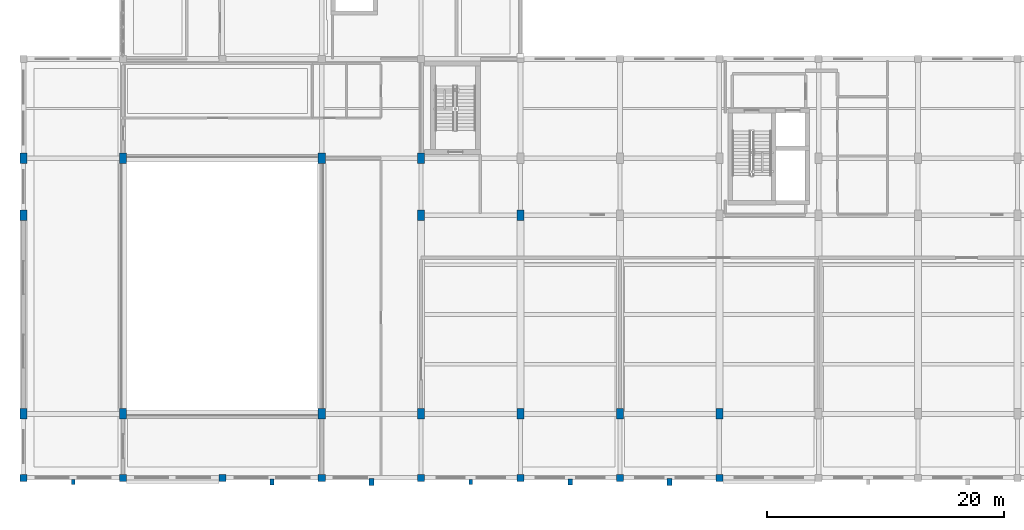
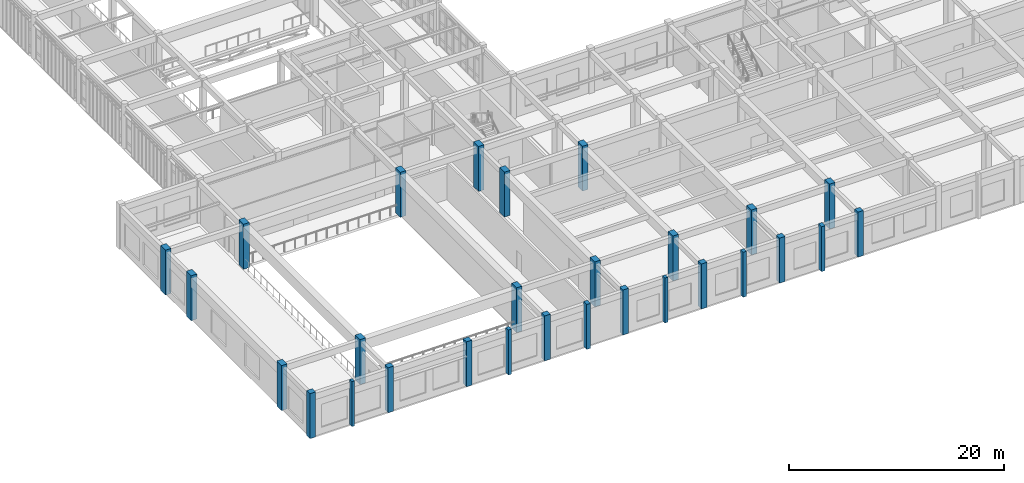
# One storey, part 1 of 77: 28 columns.
"""IFC4 building model written with IfcOpenShell, lengths in metres."""

from ifc_helpers import new_model, si_unit, direction, frame, origin, origin_2d, place, context, subcontext, project, spatial, rectangle, extrude, material, material_profile, profile_set, type_object, element, save


model = new_model("IFC4")

# Units and contexts
model_context = context("Model", 3, precision=1e-05, world=origin(), true_north=direction((0.0, 1.0)))
body_context = subcontext(model_context, "Body", "Model", "MODEL_VIEW")
ifc_project = project(units=[si_unit("LENGTHUNIT", "METRE"), si_unit("AREAUNIT", "SQUARE_METRE"), si_unit("VOLUMEUNIT", "CUBIC_METRE"), si_unit("PLANEANGLEUNIT", "RADIAN"), si_unit("MASSUNIT", "GRAM", prefix="KILO")], contexts=[model_context])

# Site, building, storey
site_placement = place(None, origin())
site = spatial("IfcSite", under=ifc_project, at=site_placement, CompositionType="ELEMENT")
building_placement = place(site_placement, origin())
building = spatial("IfcBuilding", under=site, at=building_placement, Name="Krzemoval Escarpment Law Courts", CompositionType="ELEMENT")
storey_placement = place(building_placement, frame((0.0, 0.0, 15.300048828125)))
storey = spatial("IfcBuildingStorey", under=building, at=storey_placement, Name="L03", CompositionType="ELEMENT", Elevation=15.300048828125)

# Columns
ifc_material_1 = material(Name="Concrete C40/50", Category="concrete")
ifc_material_profile_1 = material_profile(ifc_material_1, rectangle(XDim=0.60009765625, YDim=0.60009765625, at=origin_2d()), Name="RC 600x600")
ifc_profile_set_1 = profile_set([ifc_material_profile_1], Name="Concrete C40/50")
column_type_1 = type_object("IfcColumnType", Name="COL-RC-600", PredefinedType="COLUMN", material=ifc_profile_set_1)
for number, where, z_axis, x_axis, name in (
    (1, (0.0, 0.0, 0.0), (0.0, 0.0, 1.0), (1.0, 0.0, 0.0), "Column FC-L03-0998"),
    (2, (8.39990234375, 0.0, 0.0), (0.0, 0.0, 1.0), (1.0, 0.0, 0.0), "Column FC-L03-1003"),
    (3, (16.800048828125, 0.0, 0.0), (0.0, 0.0, 1.0), (1.0, 0.0, 0.0), "Column FC-L03-1016"),
    (4, (25.199951171875, 0.0, 0.0), (0.0, 0.0, 1.0), (1.0, 0.0, 0.0), "Column FC-L03-1027"),
    (5, (33.60009765625, 0.0, 0.0), (0.0, 0.0, 1.0), (1.0, 0.0, 0.0), "Column FC-L03-1035"),
    (6, (42.0, 0.0, 0.0), (0.0, 0.0, 1.0), (1.0, 0.0, 0.0), "Column FC-L03-1049"),
    (7, (50.39990234375, 0.0, 0.0), (0.0, 0.0, 1.0), (1.0, 0.0, 0.0), "Column FC-L03-1063"),
    (8, (58.800048828125, 0.0, 0.0), (0.0, 0.0, 1.0), (1.0, 0.0, 0.0), "Column FC-L03-1068"),
):
    element("IfcColumn", number, at=place(storey_placement, frame(where, z_axis=z_axis, x_axis=x_axis)), inside=storey, type_object=column_type_1, Name=name, PredefinedType="COLUMN", context=body_context, shape_type="SweptSolid", body=[
        extrude(rectangle(XDim=0.60009765625, YDim=0.60009765625, at=origin_2d()), origin(), (0.0, 0.0, 1.0), 5.099853515625),
    ])
ifc_material_2 = material(Name="Concrete C50/60", Category="concrete")
ifc_material_profile_2 = material_profile(ifc_material_2, rectangle(XDim=0.60009765625, YDim=0.89990234375, at=origin_2d()), Name="RC 600x900")
ifc_profile_set_2 = profile_set([ifc_material_profile_2], Name="Concrete C50/60")
column_type_2 = type_object("IfcColumnType", Name="COL-RC-600x900", PredefinedType="COLUMN", material=ifc_profile_set_2)
for number, where, z_axis, x_axis, name in (
    (9, (0.0, 5.39990234375, 0.0), (0.0, 0.0, 1.0), (1.0, 0.0, 0.0), "Column FC-L03-0999"),
    (10, (0.0, 22.199951171875, 0.0), (0.0, 0.0, 1.0), (1.0, 0.0, 0.0), "Column FC-L03-1000"),
    (11, (0.0, 27.0, 0.0), (0.0, 0.0, 1.0), (1.0, 0.0, 0.0), "Column FC-L03-1001"),
    (12, (8.39990234375, 5.39990234375, 0.0), (0.0, 0.0, 1.0), (1.0, 0.0, 0.0), "Column FC-L03-1004"),
    (13, (8.39990234375, 27.0, 0.0), (0.0, 0.0, 1.0), (1.0, 0.0, 0.0), "Column FC-L03-1005"),
    (14, (25.199951171875, 5.39990234375, 0.0), (0.0, 0.0, 1.0), (1.0, 0.0, 0.0), "Column FC-L03-1028"),
    (15, (25.199951171875, 27.0, 0.0), (0.0, 0.0, 1.0), (1.0, 0.0, 0.0), "Column FC-L03-1029"),
    (16, (33.60009765625, 5.39990234375, 0.0), (0.0, 0.0, 1.0), (1.0, 0.0, 0.0), "Column FC-L03-1036"),
    (17, (33.60009765625, 22.199951171875, 0.0), (0.0, 0.0, 1.0), (1.0, 0.0, 0.0), "Column FC-L03-1037"),
    (18, (33.60009765625, 27.0, 0.0), (0.0, 0.0, 1.0), (1.0, 0.0, 0.0), "Column FC-L03-1038"),
    (19, (42.0, 5.39990234375, 0.0), (0.0, 0.0, 1.0), (1.0, 0.0, 0.0), "Column FC-L03-1050"),
    (20, (42.0, 22.199951171875, 0.0), (0.0, 0.0, 1.0), (1.0, 0.0, 0.0), "Column FC-L03-1051"),
    (21, (50.39990234375, 5.39990234375, 0.0), (0.0, 0.0, 1.0), (1.0, 0.0, 0.0), "Column FC-L03-1064"),
    (22, (58.800048828125, 5.39990234375, 0.0), (0.0, 0.0, 1.0), (1.0, 0.0, 0.0), "Column FC-L03-1069"),
):
    element("IfcColumn", number, at=place(storey_placement, frame(where, z_axis=z_axis, x_axis=x_axis)), inside=storey, type_object=column_type_2, Name=name, PredefinedType="COLUMN", context=body_context, shape_type="SweptSolid", body=[
        extrude(rectangle(XDim=0.60009765625, YDim=0.89990234375, at=origin_2d()), origin(), (0.0, 0.0, 1.0), 5.099853515625),
    ])
ifc_material_3 = material(Name="Precast concrete C40/50", Category="concrete")
ifc_material_profile_3 = material_profile(ifc_material_3, rectangle(XDim=0.300048828125, YDim=0.449951171875, at=origin_2d()), Name="PIL 300x450")
ifc_profile_set_3 = profile_set([ifc_material_profile_3], Name="Precast concrete C40/50")
column_type_3 = type_object("IfcColumnType", Name="PIL-PC-300x450", PredefinedType="PILASTER", material=ifc_profile_set_3)
for number, where, z_axis, x_axis, name in (
    (23, (4.199951171875, -0.35009765625, 0.0), (0.0, 0.0, 1.0), (1.0, 0.0, 0.0), "Facade Pilaster PIL-L03-005"),
    (24, (37.800048828125, -0.35009765625, 0.0), (0.0, 0.0, 1.0), (1.0, 0.0, 0.0), "Facade Pilaster PIL-L03-020"),
):
    element("IfcColumn", number, at=place(storey_placement, frame(where, z_axis=z_axis, x_axis=x_axis)), inside=storey, type_object=column_type_3, Name=name, PredefinedType="PILASTER", context=body_context, shape_type="SweptSolid", body=[
        extrude(rectangle(XDim=0.300048828125, YDim=0.449951171875, at=origin_2d()), origin(), (0.0, 0.0, 1.0), 5.099853515625),
    ])
ifc_material_4 = material(Name="Precast concrete C40/50", Category="concrete")
ifc_material_profile_4 = material_profile(ifc_material_4, rectangle(XDim=0.35009765625, YDim=0.5, at=origin_2d()), Name="PIL 350x500")
ifc_profile_set_4 = profile_set([ifc_material_profile_4], Name="Precast concrete C40/50")
column_type_4 = type_object("IfcColumnType", Name="PIL-PC-350x500", PredefinedType="PILASTER", material=ifc_profile_set_4)
for number, where, z_axis, x_axis, name in (
    (25, (21.0, -0.35009765625, 0.0), (0.0, 0.0, 1.0), (1.0, 0.0, 0.0), "Facade Pilaster PIL-L03-010"),
    (26, (46.199951171875, -0.35009765625, 0.0), (0.0, 0.0, 1.0), (1.0, 0.0, 0.0), "Facade Pilaster PIL-L03-025"),
):
    element("IfcColumn", number, at=place(storey_placement, frame(where, z_axis=z_axis, x_axis=x_axis)), inside=storey, type_object=column_type_4, Name=name, PredefinedType="PILASTER", context=body_context, shape_type="SweptSolid", body=[
        extrude(rectangle(XDim=0.35009765625, YDim=0.5, at=origin_2d()), origin(), (0.0, 0.0, 1.0), 5.099853515625),
    ])
ifc_material_5 = material(Name="Precast concrete C40/50", Category="concrete")
ifc_material_profile_5 = material_profile(ifc_material_5, rectangle(XDim=0.39990234375, YDim=0.60009765625, at=origin_2d()), Name="PIL 400x600")
ifc_profile_set_5 = profile_set([ifc_material_profile_5], Name="Precast concrete C40/50")
column_type_5 = type_object("IfcColumnType", Name="PIL-PC-400x600", PredefinedType="PILASTER", material=ifc_profile_set_5)
for number, where, z_axis, x_axis, name in (
    (27, (29.39990234375, -0.35009765625, 0.0), (0.0, 0.0, 1.0), (1.0, 0.0, 0.0), "Facade Pilaster PIL-L03-015"),
    (28, (54.60009765625, -0.35009765625, 0.0), (0.0, 0.0, 1.0), (1.0, 0.0, 0.0), "Facade Pilaster PIL-L03-030"),
):
    element("IfcColumn", number, at=place(storey_placement, frame(where, z_axis=z_axis, x_axis=x_axis)), inside=storey, type_object=column_type_5, Name=name, PredefinedType="PILASTER", context=body_context, shape_type="SweptSolid", body=[
        extrude(rectangle(XDim=0.39990234375, YDim=0.60009765625, at=origin_2d()), origin(), (0.0, 0.0, 1.0), 5.099853515625),
    ])

save(model, "model.ifc")
